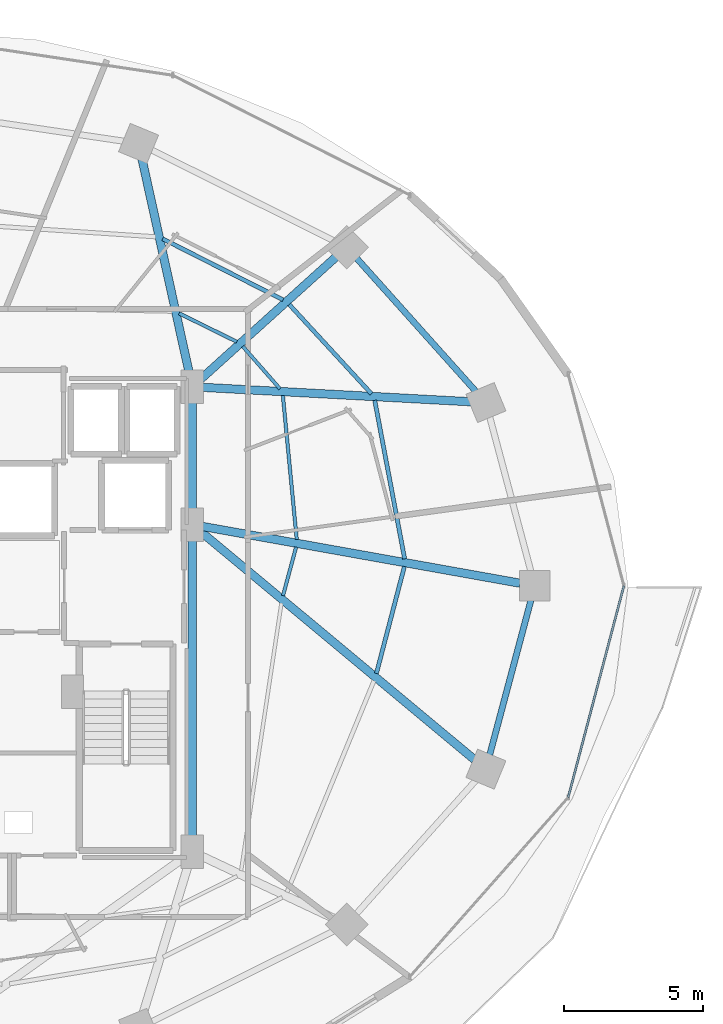
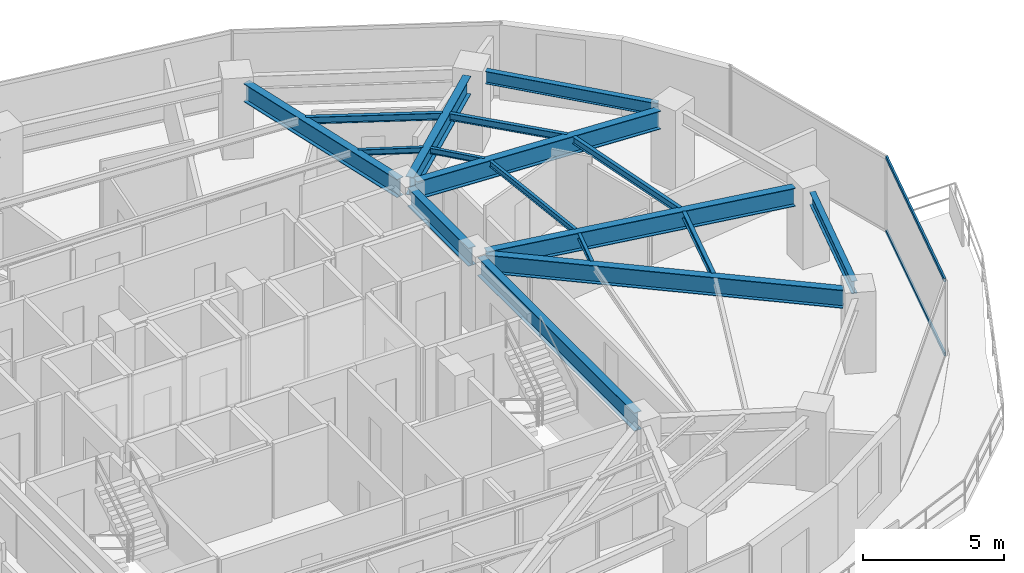
# One storey, part 14 of 30: 17 beams, 2 members, 1 element without a shape of its own.
"""IFC4 building model written with IfcOpenShell, lengths in metres."""

from ifc_helpers import new_model, si_unit, direction, frame, origin, origin_2d, place, context, subcontext, project, spatial, hollow_rectangle, i_section, extrude, material, material_profile, profile_set, type_object, element, aggregate, save


model = new_model("IFC4")

# Units and contexts
model_context = context("Model", 3, precision=1e-05, world=origin(), true_north=direction((0.0, 1.0)))
body_context = subcontext(model_context, "Body", "Model", "MODEL_VIEW")
ifc_project = project(units=[si_unit("LENGTHUNIT", "METRE"), si_unit("AREAUNIT", "SQUARE_METRE"), si_unit("VOLUMEUNIT", "CUBIC_METRE"), si_unit("PLANEANGLEUNIT", "RADIAN"), si_unit("MASSUNIT", "GRAM", prefix="KILO")], contexts=[model_context])

# Site, building, storey
site_placement = place(None, origin())
site = spatial("IfcSite", under=ifc_project, at=site_placement, CompositionType="ELEMENT")
building_placement = place(site_placement, origin())
building = spatial("IfcBuilding", under=site, at=building_placement, Name="Vorneva Point Tower", CompositionType="ELEMENT")
storey_placement = place(building_placement, frame((0.0, 0.0, 92.800048828125)))
storey = spatial("IfcBuildingStorey", under=building, at=storey_placement, Name="L24", CompositionType="ELEMENT", Elevation=92.800048828125)

# Beams
ifc_material_1 = material(Name="Steel S355", Category="steel")
ifc_material_profile_1 = material_profile(ifc_material_1, i_section(OverallWidth=0.300048828125, OverallDepth=0.7880859375, WebThickness=0.014404296875, FlangeThickness=0.02197265625, at=origin_2d()), Name="80Sh1")
ifc_profile_set_1 = profile_set([ifc_material_profile_1], Name="Steel S355")
beam_type_1 = type_object("IfcBeamType", Name="BM-GRD-80Sh1", PredefinedType="USERDEFINED", material=ifc_profile_set_1)
beam_1_placement = place(storey_placement, frame((60.5205078125, 26.0947265625, 2.845947265625), z_axis=(-0.984378310682, 0.176066298476, 0.0), x_axis=(-0.176066298476, -0.984378310682, 0.0)))
element("IfcBeam", 1, at=beam_1_placement, inside=storey, type_object=beam_type_1, Name="L24 Radial Primary Girder 01", ObjectType="GIRDER", PredefinedType="USERDEFINED", context=body_context, shape_type="SweptSolid", body=[
    extrude(i_section(OverallWidth=0.300048828125, OverallDepth=0.7880859375, WebThickness=0.014404296875, FlangeThickness=0.02197265625, at=origin_2d()), origin(), (0.0, 0.0, 1.0), 11.6171875),
])
beam_2_placement = place(storey_placement, frame((58.75830078125, 32.611083984375, 2.845947265625), z_axis=(-0.998554075878, 0.053756465161, 0.0), x_axis=(-0.053756465161, -0.998554075878, 0.0)))
element("IfcBeam", 2, at=beam_2_placement, inside=storey, type_object=beam_type_1, Name="L24 Radial Primary Girder 02", ObjectType="GIRDER", PredefinedType="USERDEFINED", context=body_context, shape_type="SweptSolid", body=[
    extrude(i_section(OverallWidth=0.300048828125, OverallDepth=0.7880859375, WebThickness=0.014404296875, FlangeThickness=0.02197265625, at=origin_2d()), origin(), (0.0, 0.0, 1.0), 9.6826171875),
])
beam_3_placement = place(storey_placement, frame((53.899658203125, 37.801513671875, 2.845947265625), z_axis=(-0.742097300344, -0.670292172729, 0.0), x_axis=(0.670292172729, -0.742097300344, 0.0)))
element("IfcBeam", 3, at=beam_3_placement, inside=storey, type_object=beam_type_1, Name="L24 Radial Primary Girder 03", ObjectType="GIRDER", PredefinedType="USERDEFINED", context=body_context, shape_type="SweptSolid", body=[
    extrude(i_section(OverallWidth=0.300048828125, OverallDepth=0.7880859375, WebThickness=0.014404296875, FlangeThickness=0.02197265625, at=origin_2d()), origin(), (0.0, 0.0, 1.0), 6.599365234375),
])
beam_4_placement = place(storey_placement, frame((46.936767578125, 41.365234375, 2.845947265625), z_axis=(0.215530944428, -0.976497010745, 0.0), x_axis=(0.976497010745, 0.215530944428, 0.0)))
element("IfcBeam", 4, at=beam_4_placement, inside=storey, type_object=beam_type_1, Name="L24 Radial Primary Girder 04", ObjectType="GIRDER", PredefinedType="USERDEFINED", context=body_context, shape_type="SweptSolid", body=[
    extrude(i_section(OverallWidth=0.300048828125, OverallDepth=0.7880859375, WebThickness=0.014404296875, FlangeThickness=0.02197265625, at=origin_2d()), origin(), (0.0, 0.0, 1.0), 8.072998046875),
])
beam_5_placement = place(storey_placement, frame((58.882080078125, 19.76220703125, 2.845947265625), z_axis=(-0.768431550428, 0.639931990376, 0.0), x_axis=(-0.639931990376, -0.768431550428, 0.0)))
element("IfcBeam", 5, at=beam_5_placement, inside=storey, type_object=beam_type_1, Name="L24 Radial Primary Girder 16", ObjectType="GIRDER", PredefinedType="USERDEFINED", context=body_context, shape_type="SweptSolid", body=[
    extrude(i_section(OverallWidth=0.300048828125, OverallDepth=0.7880859375, WebThickness=0.014404296875, FlangeThickness=0.02197265625, at=origin_2d()), origin(), (0.0, 0.0, 1.0), 12.845458984375),
])
beam_6_placement = place(storey_placement, frame((48.75, 16.77001953125, 2.845947265625), z_axis=(0.0, 1.0, 0.0), x_axis=(-1.0, 0.0, 0.0)))
element("IfcBeam", 6, at=beam_6_placement, inside=storey, type_object=beam_type_1, Name="L24 Core Tie Girder CT3", ObjectType="GIRDER", PredefinedType="USERDEFINED", context=body_context, shape_type="SweptSolid", body=[
    extrude(i_section(OverallWidth=0.300048828125, OverallDepth=0.7880859375, WebThickness=0.014404296875, FlangeThickness=0.02197265625, at=origin_2d()), origin(), (0.0, 0.0, 1.0), 11.10986328125),
])
beam_7_placement = place(storey_placement, frame((48.75, 28.52001953125, 2.845947265625), z_axis=(0.0, 1.0, 0.0), x_axis=(-1.0, 0.0, 0.0)))
element("IfcBeam", 7, at=beam_7_placement, inside=storey, type_object=beam_type_1, Name="L24 Core Tie Girder CT4", ObjectType="GIRDER", PredefinedType="USERDEFINED", context=body_context, shape_type="SweptSolid", body=[
    extrude(i_section(OverallWidth=0.300048828125, OverallDepth=0.7880859375, WebThickness=0.014404296875, FlangeThickness=0.02197265625, at=origin_2d()), origin(), (0.0, 0.0, 1.0), 4.31005859375),
])
ifc_material_profile_2 = material_profile(ifc_material_1, i_section(OverallWidth=0.1240234375, OverallDepth=0.248046875, WebThickness=0.0048828125, FlangeThickness=0.008056640625, at=origin_2d()), Name="25B1")
ifc_profile_set_2 = profile_set([ifc_material_profile_2], Name="Steel S355")
beam_type_2 = type_object("IfcBeamType", Name="BM-JST-25B1", PredefinedType="JOIST", material=ifc_profile_set_2)
beam_8_placement = place(storey_placement, frame((52.502197265625, 27.663818359375, 3.115966796875), z_axis=(-0.095950449471, 0.99538611164, 0.0), x_axis=(-0.99538611164, -0.095950449471, 0.0)))
element("IfcBeam", 8, at=beam_8_placement, inside=storey, type_object=beam_type_2, Name="L24 Secondary Floor Beam 2.01", PredefinedType="JOIST", context=body_context, shape_type="SweptSolid", body=[
    extrude(i_section(OverallWidth=0.1240234375, OverallDepth=0.248046875, WebThickness=0.0048828125, FlangeThickness=0.008056640625, at=origin_2d()), origin(), (0.0, 0.0, 1.0), 5.1982421875),
])
beam_9_placement = place(storey_placement, frame((51.899169921875, 33.0791015625, 3.115966796875), z_axis=(-0.659826069544, 0.751418364129, 0.0), x_axis=(-0.751418364129, -0.659826069544, 0.0)))
element("IfcBeam", 9, at=beam_9_placement, inside=storey, type_object=beam_type_2, Name="L24 Secondary Floor Beam 2.02", PredefinedType="JOIST", context=body_context, shape_type="SweptSolid", body=[
    extrude(i_section(OverallWidth=0.1240234375, OverallDepth=0.248046875, WebThickness=0.0048828125, FlangeThickness=0.008056640625, at=origin_2d()), origin(), (0.0, 0.0, 1.0), 2.02587890625),
])
beam_10_placement = place(storey_placement, frame((50.34765625, 34.76611328125, 3.115966796875), z_axis=(-0.896973792336, 0.442083720423, 0.0), x_axis=(-0.442083720423, -0.896973792336, 0.0)))
element("IfcBeam", 10, at=beam_10_placement, inside=storey, type_object=beam_type_2, Name="L24 Secondary Floor Beam 2.03", PredefinedType="JOIST", context=body_context, shape_type="SweptSolid", body=[
    extrude(i_section(OverallWidth=0.1240234375, OverallDepth=0.248046875, WebThickness=0.0048828125, FlangeThickness=0.008056640625, at=origin_2d()), origin(), (0.0, 0.0, 1.0), 2.306640625),
])
beam_11_placement = place(storey_placement, frame((52.008544921875, 25.6494140625, 3.115966796875), z_axis=(0.260714981089, 0.965415816442, 0.0), x_axis=(-0.965415816442, 0.260714981089, 0.0)))
element("IfcBeam", 11, at=beam_11_placement, inside=storey, type_object=beam_type_2, Name="L24 Secondary Floor Beam 2.16", PredefinedType="JOIST", context=body_context, shape_type="SweptSolid", body=[
    extrude(i_section(OverallWidth=0.1240234375, OverallDepth=0.248046875, WebThickness=0.0048828125, FlangeThickness=0.008056640625, at=origin_2d()), origin(), (0.0, 0.0, 1.0), 1.806396484375),
])
ifc_material_profile_3 = material_profile(ifc_material_1, i_section(OverallWidth=0.14892578125, OverallDepth=0.298095703125, WebThickness=0.005615234375, FlangeThickness=0.008056640625, at=origin_2d()), Name="30B1")
ifc_profile_set_3 = profile_set([ifc_material_profile_3], Name="Steel S355")
beam_type_3 = type_object("IfcBeamType", Name="BM-JST-30B1", PredefinedType="JOIST", material=ifc_profile_set_3)
beam_12_placement = place(storey_placement, frame((56.3779296875, 26.966796875, 3.091064453125), z_axis=(-0.185445459746, 0.98265455856, 0.0), x_axis=(-0.98265455856, -0.185445459746, 0.0)))
element("IfcBeam", 12, at=beam_12_placement, inside=storey, type_object=beam_type_3, Name="L24 Secondary Floor Beam 1.01", PredefinedType="JOIST", context=body_context, shape_type="SweptSolid", body=[
    extrude(i_section(OverallWidth=0.14892578125, OverallDepth=0.298095703125, WebThickness=0.005615234375, FlangeThickness=0.008056640625, at=origin_2d()), origin(), (0.0, 0.0, 1.0), 5.796630859375),
])
beam_13_placement = place(storey_placement, frame((55.18408203125, 32.89990234375, 3.091064453125), z_axis=(-0.677423941883, 0.735592824165, 0.0), x_axis=(-0.735592824165, -0.677423941883, 0.0)))
element("IfcBeam", 13, at=beam_13_placement, inside=storey, type_object=beam_type_3, Name="L24 Secondary Floor Beam 1.02", PredefinedType="JOIST", context=body_context, shape_type="SweptSolid", body=[
    extrude(i_section(OverallWidth=0.14892578125, OverallDepth=0.298095703125, WebThickness=0.005615234375, FlangeThickness=0.008056640625, at=origin_2d()), origin(), (0.0, 0.0, 1.0), 4.36083984375),
])
beam_14_placement = place(storey_placement, frame((52.013427734375, 36.271484375, 3.091064453125), z_axis=(-0.891957851433, 0.452118558862, 0.0), x_axis=(-0.452118558862, -0.891957851433, 0.0)))
element("IfcBeam", 14, at=beam_14_placement, inside=storey, type_object=beam_type_3, Name="L24 Secondary Floor Beam 1.03", PredefinedType="JOIST", context=body_context, shape_type="SweptSolid", body=[
    extrude(i_section(OverallWidth=0.14892578125, OverallDepth=0.298095703125, WebThickness=0.005615234375, FlangeThickness=0.008056640625, at=origin_2d()), origin(), (0.0, 0.0, 1.0), 4.851318359375),
])
beam_15_placement = place(storey_placement, frame((55.363525390625, 22.85498046875, 3.091064453125), z_axis=(0.253064919309, 0.967449299248, 0.0), x_axis=(-0.967449299248, 0.253064919309, 0.0)))
element("IfcBeam", 15, at=beam_15_placement, inside=storey, type_object=beam_type_3, Name="L24 Secondary Floor Beam 1.16", PredefinedType="JOIST", context=body_context, shape_type="SweptSolid", body=[
    extrude(i_section(OverallWidth=0.14892578125, OverallDepth=0.298095703125, WebThickness=0.005615234375, FlangeThickness=0.008056640625, at=origin_2d()), origin(), (0.0, 0.0, 1.0), 3.971923828125),
])
ifc_material_profile_4 = material_profile(ifc_material_1, i_section(OverallWidth=0.219970703125, OverallDepth=0.54296875, WebThickness=0.009521484375, FlangeThickness=0.013427734375, at=origin_2d()), Name="55B1")
ifc_profile_set_4 = profile_set([ifc_material_profile_4], Name="Steel S355")
beam_type_4 = type_object("IfcBeamType", Name="BM-SPN-55B1", PredefinedType="SPANDREL", material=ifc_profile_set_4)
beam_16_placement = place(storey_placement, frame((58.9384765625, 32.980712890625, 2.968505859375), z_axis=(-0.667073815664, 0.744991627105, 0.0), x_axis=(-0.744991627105, -0.667073815664, 0.0)))
element("IfcBeam", 16, at=beam_16_placement, inside=storey, type_object=beam_type_4, Name="L24 Perimeter Spandrel Ring Beam 02", PredefinedType="SPANDREL", context=body_context, shape_type="SweptSolid", body=[
    extrude(i_section(OverallWidth=0.219970703125, OverallDepth=0.54296875, WebThickness=0.009521484375, FlangeThickness=0.013427734375, at=origin_2d()), origin(), (0.0, 0.0, 1.0), 6.420166015625),
])
beam_17_placement = place(storey_placement, frame((59.43310546875, 19.934814453125, 2.968505859375), z_axis=(0.257572674071, 0.966258928845, 0.0), x_axis=(-0.966258928845, 0.257572674071, 0.0)))
element("IfcBeam", 17, at=beam_17_placement, inside=storey, type_object=beam_type_4, Name="L24 Perimeter Spandrel Ring Beam 16", PredefinedType="SPANDREL", context=body_context, shape_type="SweptSolid", body=[
    extrude(i_section(OverallWidth=0.219970703125, OverallDepth=0.54296875, WebThickness=0.009521484375, FlangeThickness=0.013427734375, at=origin_2d()), origin(), (0.0, 0.0, 1.0), 5.7421875),
])

# Curtain wall, members
ifc_material_2 = material(Name="Pale anodised aluminium", Category="aluminium")
curtain_wall_type = type_object("IfcCurtainWallType", Name="CW-HTL-SYS", PredefinedType="NOTDEFINED", material=ifc_material_2)
curtain_wall_placement = place(storey_placement, origin())
curtain_wall = element("IfcCurtainWall", 18, at=curtain_wall_placement, inside=storey, type_object=curtain_wall_type, Name="L24 Unitised Curtain Wall CW-L24-R01", PredefinedType="NOTDEFINED")
ifc_material_profile_5 = material_profile(ifc_material_2, hollow_rectangle(XDim=0.074951171875, YDim=0.14990234375, WallThickness=0.00390625, at=origin_2d()), Name="AL-TRN 150x75x4")
ifc_profile_set_5 = profile_set([ifc_material_profile_5], Name="Pale anodised aluminium")
member_type = type_object("IfcMemberType", Name="CW-TRN-150", PredefinedType="USERDEFINED", material=ifc_profile_set_5)
member_1_placement = place(storey_placement, frame((62.251708984375, 18.40380859375, 0.02001953125), z_axis=(0.254409150465, 0.967096677773, 0.0), x_axis=(-0.967096677773, 0.254409150465, 0.0)))
member_1 = element("IfcMember", 19, at=member_1_placement, type_object=member_type, Name="CW-L24-R01 Transom 02.1", ObjectType="TRANSOM", PredefinedType="USERDEFINED", context=body_context, shape_type="SweptSolid", body=[
    extrude(hollow_rectangle(XDim=0.074951171875, YDim=0.14990234375, WallThickness=0.00390625, at=origin_2d()), origin(), (0.0, 0.0, 1.0), 7.854736328125),
])
member_2_placement = place(storey_placement, frame((62.251708984375, 18.40380859375, 3.219970703125), z_axis=(0.254409150465, 0.967096677773, 0.0), x_axis=(-0.967096677773, 0.254409150465, 0.0)))
member_2 = element("IfcMember", 20, at=member_2_placement, type_object=member_type, Name="CW-L24-R01 Transom 02.2", ObjectType="TRANSOM", PredefinedType="USERDEFINED", context=body_context, shape_type="SweptSolid", body=[
    extrude(hollow_rectangle(XDim=0.074951171875, YDim=0.14990234375, WallThickness=0.00390625, at=origin_2d()), origin(), (0.0, 0.0, 1.0), 7.854736328125),
])
aggregate(curtain_wall, [member_1, member_2])

save(model, "model.ifc")
